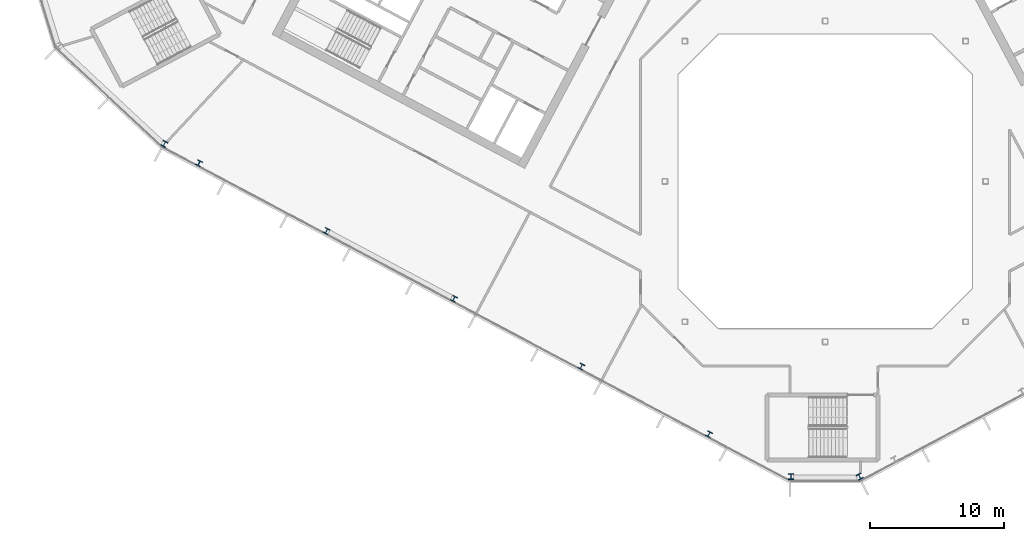
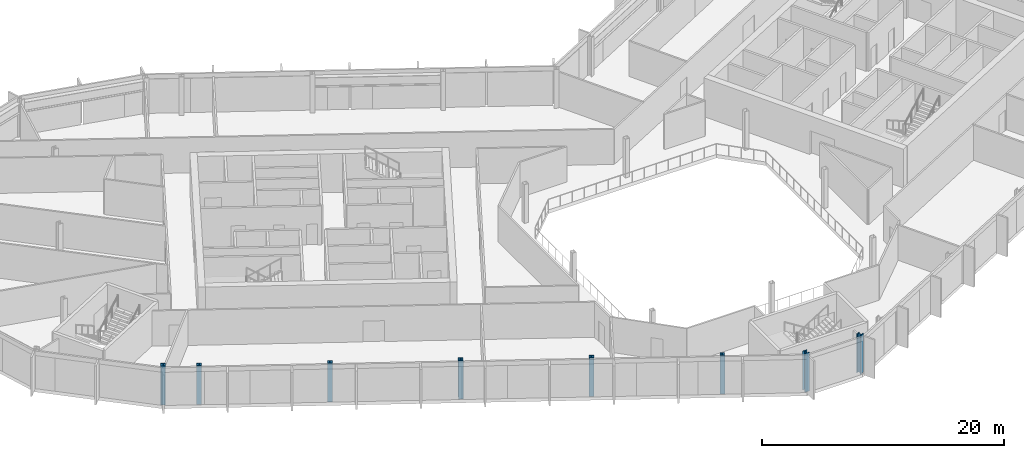
# One storey, part 1 of 26: 8 columns.
"""IFC4 building model written with IfcOpenShell, lengths in metres."""

from ifc_helpers import new_model, si_unit, direction, frame, origin, origin_2d, place, context, subcontext, project, spatial, i_section, extrude, material, material_profile, profile_set, type_object, element, save


model = new_model("IFC4")

# Units and contexts
model_context = context("Model", 3, precision=1e-05, world=origin(), true_north=direction((0.0, 1.0)))
body_context = subcontext(model_context, "Body", "Model", "MODEL_VIEW")
ifc_project = project(units=[si_unit("LENGTHUNIT", "METRE"), si_unit("AREAUNIT", "SQUARE_METRE"), si_unit("VOLUMEUNIT", "CUBIC_METRE"), si_unit("PLANEANGLEUNIT", "RADIAN"), si_unit("MASSUNIT", "GRAM", prefix="KILO")], contexts=[model_context])

# Site, building, storey
site_placement = place(None, origin())
site = spatial("IfcSite", under=ifc_project, at=site_placement, CompositionType="ELEMENT")
building_placement = place(site_placement, origin())
building = spatial("IfcBuilding", under=site, at=building_placement, Name="Cormorant Relay Tower", CompositionType="ELEMENT")
storey_placement = place(building_placement, frame((0.0, 0.0, 193.5)))
storey = spatial("IfcBuildingStorey", under=building, at=storey_placement, Name="L41", CompositionType="ELEMENT", Elevation=193.5)

# Columns
ifc_material_1 = material(Name="Steel ASTM A992 (Fy 345 MPa)", Category="steel")
ifc_material_profile_1 = material_profile(ifc_material_1, i_section(OverallWidth=0.40380859375, OverallDepth=0.406494140625, WebThickness=0.027099609375, FlangeThickness=0.043701171875, FilletRadius=0.01513671875, at=origin_2d()), Name="W360x347")
ifc_profile_set_1 = profile_set([ifc_material_profile_1], Name="Steel ASTM A992 (Fy 345 MPa)")
column_type_1 = type_object("IfcColumnType", Name="Column W360x347", PredefinedType="COLUMN", material=ifc_profile_set_1)
for number, where, z_axis, x_axis, name in (
    (1, (-8.700927734375, -18.919921875, 0.0), (0.0, 0.0, 1.0), (0.882947592859, -0.469471562786, 0.0), "Column L41-004"),
    (2, (-18.237060546875, -13.85009765625, 0.0), (0.0, 0.0, 1.0), (0.882947592859, -0.469471562786, 0.0), "Column L41-006"),
    (3, (-27.77197265625, -8.779052734375, 0.0), (0.0, 0.0, 1.0), (0.882947592859, -0.469471562786, 0.0), "Column L41-011"),
    (4, (-37.30810546875, -3.708984375, 0.0), (0.0, 0.0, 1.0), (0.882947592859, -0.469471562786, 0.0), "Column L41-013"),
    (5, (-46.843994140625, 1.361083984375, 0.0), (0.0, 0.0, 1.0), (0.882947592859, -0.469471562786, 0.0), "Column L41-017"),
):
    element("IfcColumn", number, at=place(storey_placement, frame(where, z_axis=z_axis, x_axis=x_axis)), inside=storey, type_object=column_type_1, Name=name, PredefinedType="COLUMN", context=body_context, shape_type="SweptSolid", body=[
        extrude(i_section(OverallWidth=0.40380859375, OverallDepth=0.406494140625, WebThickness=0.027099609375, FlangeThickness=0.043701171875, FilletRadius=0.01513671875, at=origin_2d()), origin(), (0.0, 0.0, 1.0), 3.89990234375),
    ])
ifc_material_2 = material(Name="Steel ASTM A992 (Fy 345 MPa)", Category="steel")
ifc_material_profile_2 = material_profile(ifc_material_2, i_section(OverallWidth=0.41162109375, OverallDepth=0.434326171875, WebThickness=0.035888671875, FlangeThickness=0.057373046875, FilletRadius=0.01513671875, at=origin_2d()), Name="W360x463")
ifc_profile_set_2 = profile_set([ifc_material_profile_2], Name="Steel ASTM A992 (Fy 345 MPa)")
column_type_2 = type_object("IfcColumnType", Name="Column W360x463", PredefinedType="COLUMN", material=ifc_profile_set_2)
for number, where, z_axis, x_axis, name in (
    (6, (-2.575927734375, -22.083984375, 0.0), (0.0, 0.0, 1.0), (1.0, 0.0, 0.0), "Column L41-001"),
    (7, (2.575927734375, -22.083984375, 0.0), (0.0, 0.0, 1.0), (0.882947592859, 0.469471562786, 0.0), "Column L41-002"),
    (8, (-49.43505859375, 2.803955078125, 0.0), (0.0, 0.0, 1.0), (0.882947592859, -0.469471562786, 0.0), "Column L41-018"),
):
    element("IfcColumn", number, at=place(storey_placement, frame(where, z_axis=z_axis, x_axis=x_axis)), inside=storey, type_object=column_type_2, Name=name, PredefinedType="COLUMN", context=body_context, shape_type="SweptSolid", body=[
        extrude(i_section(OverallWidth=0.41162109375, OverallDepth=0.434326171875, WebThickness=0.035888671875, FlangeThickness=0.057373046875, FilletRadius=0.01513671875, at=origin_2d()), origin(), (0.0, 0.0, 1.0), 3.89990234375),
    ])

save(model, "model.ifc")
